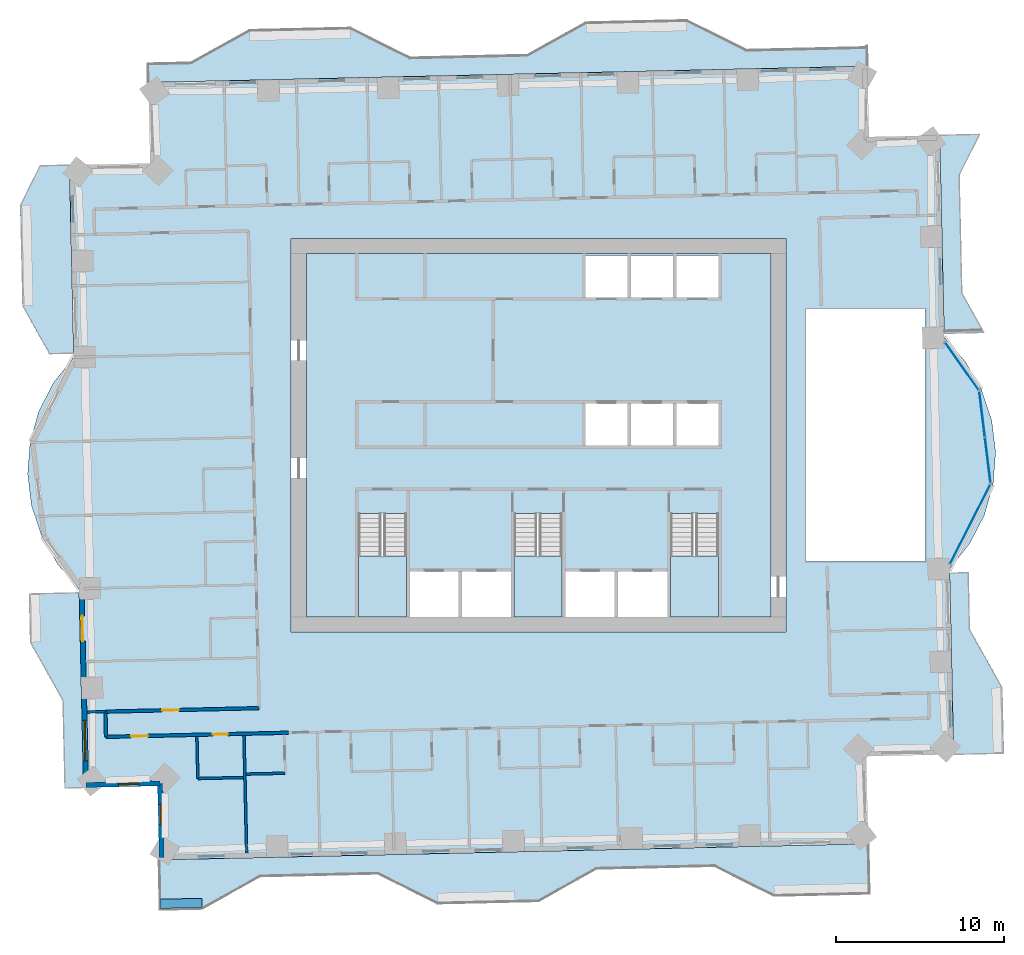
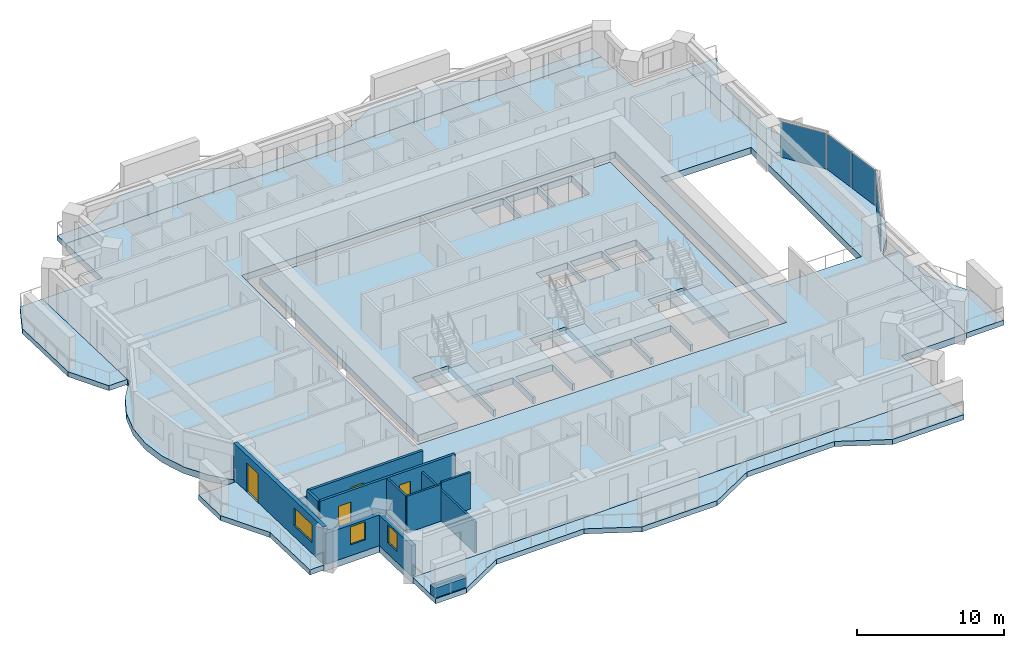
# One storey, part 5 of 16: 12 walls, 11 slabs, 4 doors, 4 plates, 3 windows, 7 openings, 6 elements without a shape of their own.
"""IFC4 building model written with IfcOpenShell, lengths in metres."""

from ifc_helpers import new_model, si_unit, direction, frame, frame_2d, origin, origin_2d, place, context, subcontext, project, spatial, polyline, rectangle, outline, extrude, material, layer, layer_set, type_object, element, fill, aggregate, save


model = new_model("IFC4")

# Units and contexts
model_context = context("Model", 3, precision=1e-05, world=origin(), true_north=direction((0.0, 1.0)))
body_context = subcontext(model_context, "Body", "Model", "MODEL_VIEW")
ifc_project = project(units=[si_unit("LENGTHUNIT", "METRE"), si_unit("AREAUNIT", "SQUARE_METRE"), si_unit("VOLUMEUNIT", "CUBIC_METRE"), si_unit("PLANEANGLEUNIT", "RADIAN"), si_unit("MASSUNIT", "GRAM", prefix="KILO")], contexts=[model_context])

# Site, building, storey
site_placement = place(None, origin())
site = spatial("IfcSite", under=ifc_project, at=site_placement, CompositionType="ELEMENT")
building_placement = place(site_placement, origin())
building = spatial("IfcBuilding", under=site, at=building_placement, Name="Mangrove Gate Tower", CompositionType="ELEMENT")
storey_placement = place(building_placement, frame((0.0, 0.0, 140.89990234375)))
storey = spatial("IfcBuildingStorey", under=building, at=storey_placement, Name="L35", CompositionType="ELEMENT", Elevation=140.89990234375)

# Curtain wall, plate
ifc_material_1 = material(Name="Aluminium and glass curtain wall", Category="aluminium")
curtain_wall_type = type_object("IfcCurtainWallType", Name="Atrium garden-court glazing wall", PredefinedType="NOTDEFINED", material=ifc_material_1)
curtain_wall_1_placement = place(storey_placement, origin())
curtain_wall_1 = element("IfcCurtainWall", 1, at=curtain_wall_1_placement, inside=storey, type_object=curtain_wall_type, Name="Atrium garden-court glazing E1f1", PredefinedType="NOTDEFINED")
ifc_material_2 = material(Name="Laminated low-e glass", Category="glass")
ifc_layer_1 = layer(ifc_material_2, 0.031982421875)
ifc_layer_set_1 = layer_set([ifc_layer_1], Name="Atrium garden-court glazing panel 32")
plate_type = type_object("IfcPlateType", Name="Atrium garden-court glazing panel 32", PredefinedType="CURTAIN_PANEL", material=ifc_layer_set_1)
plate_1_placement = place(storey_placement, frame((25.647216796875, -5.28466796875, 0.0), z_axis=(0.0, 0.0, 1.0), x_axis=(0.452614630938, 0.891706227331, 0.0)))
plate_1 = element("IfcPlate", 2, at=plate_1_placement, type_object=plate_type, Name="CWA panel 1.1", PredefinedType="CURTAIN_PANEL", context=body_context, shape_type="SweptSolid", body=[
    extrude(rectangle(XDim=5.258544921875, YDim=0.031982421875, at=origin_2d()), origin(), (0.0, 0.0, 1.0), 2.97998046875),
])
aggregate(curtain_wall_1, [plate_1])

# Curtain wall, plates
curtain_wall_2_placement = place(storey_placement, origin())
curtain_wall_2 = element("IfcCurtainWall", 3, at=curtain_wall_2_placement, inside=storey, type_object=curtain_wall_type, Name="Atrium garden-court glazing E1f2", PredefinedType="NOTDEFINED")
plate_2_placement = place(storey_placement, frame((26.696533203125, -1.4775390625, 0.0), z_axis=(0.0, 0.0, 1.0), x_axis=(-0.122172285885, 0.992508908051, 0.0)))
plate_2 = element("IfcPlate", 4, at=plate_2_placement, type_object=plate_type, Name="CWA panel 1.1", PredefinedType="CURTAIN_PANEL", context=body_context, shape_type="SweptSolid", body=[
    extrude(rectangle(XDim=2.681640625, YDim=0.031982421875, at=origin_2d()), origin(), (0.0, 0.0, 1.0), 2.97998046875),
])
plate_3_placement = place(storey_placement, frame((26.3603515625, 1.253662109375, 0.0), z_axis=(0.0, 0.0, 1.0), x_axis=(-0.122172285885, 0.992508908051, 0.0)))
plate_3 = element("IfcPlate", 5, at=plate_3_placement, type_object=plate_type, Name="CWA panel 2.1", PredefinedType="CURTAIN_PANEL", context=body_context, shape_type="SweptSolid", body=[
    extrude(rectangle(XDim=2.681640625, YDim=0.031982421875, at=origin_2d()), origin(), (0.0, 0.0, 1.0), 2.97998046875),
])
aggregate(curtain_wall_2, [plate_2, plate_3])

# Curtain wall, plate
curtain_wall_3_placement = place(storey_placement, origin())
curtain_wall_3 = element("IfcCurtainWall", 6, at=curtain_wall_3_placement, inside=storey, type_object=curtain_wall_type, Name="Atrium garden-court glazing E1f3", PredefinedType="NOTDEFINED")
plate_4_placement = place(storey_placement, frame((25.15625, 4.10986328125, 0.0), z_axis=(0.0, 0.0, 1.0), x_axis=(-0.578132252952, 0.815943072828, 0.0)))
plate_4 = element("IfcPlate", 7, at=plate_4_placement, type_object=plate_type, Name="CWA panel 1.1", PredefinedType="CURTAIN_PANEL", context=body_context, shape_type="SweptSolid", body=[
    extrude(rectangle(XDim=3.428955078125, YDim=0.031982421875, at=origin_2d()), origin(), (0.0, 0.0, 1.0), 2.97998046875),
])
aggregate(curtain_wall_3, [plate_4])

# Slabs
ifc_material_3 = material(Name="Porcelain tile")
ifc_layer_2 = layer(ifc_material_3, 0.02001953125, Name="Tile finish")
ifc_material_4 = material(Name="Cement sand screed")
ifc_layer_3 = layer(ifc_material_4, 0.0400390625, Name="Screed laid to falls")
ifc_material_5 = material(Name="Bituminous waterproofing membrane")
ifc_layer_4 = layer(ifc_material_5, 0.00390625, Name="Waterproofing")
ifc_material_6 = material(Name="Concrete C40/50", Category="concrete")
ifc_layer_5 = layer(ifc_material_6, 0.340087890625, Name="Balcony structural slab")
ifc_material_7 = material(Name="Limestone", Category="masonry")
ifc_layer_6 = layer(ifc_material_7, 0.01611328125, Name="Soffit lining")
ifc_layer_set_2 = layer_set([ifc_layer_2, ifc_layer_3, ifc_layer_4, ifc_layer_5, ifc_layer_6], Name="Balcony slab 420 C40/50")
slab_type_1 = type_object("IfcSlabType", Name="Balcony slab 420 C40/50", PredefinedType="FLOOR", material=ifc_layer_set_2)
slab_1_placement = place(storey_placement, frame((0.0, 0.0, -0.419921875)))
element("IfcSlab", 8, at=slab_1_placement, inside=storey, type_object=slab_type_1, Name="BALCONY L35 E0", PredefinedType="FLOOR", context=body_context, shape_type="SweptSolid", body=[
    extrude(outline(polyline([(27.660888671875, -18.89111328125), (27.572021484375, -14.991943359375), (25.64306640625, -11.533935546875), (25.56689453125, -8.160888671875), (24.427001953125, -8.18701171875), (24.50390625, -11.56005859375), (24.5830078125, -15.05908203125), (24.6708984375, -18.9580078125), (27.660888671875, -18.89111328125)])), origin(), (0.0, 0.0, 1.0), 0.419921875),
])
slab_2_placement = place(storey_placement, frame((0.0, 0.0, -0.419921875)))
element("IfcSlab", 9, at=slab_2_placement, inside=storey, type_object=slab_type_1, Name="BALCONY L35 E1", PredefinedType="FLOOR", context=body_context, shape_type="SweptSolid", body=[
    extrude(outline(polyline([(26.498046875, 6.114990234375), (25.18994140625, 8.4599609375), (25.031005859375, 15.458984375), (26.2451171875, 17.886962890625), (23.8369140625, 17.83203125), (23.89111328125, 15.43310546875), (24.050048828125, 8.43505859375), (24.10400390625, 6.06005859375), (26.498046875, 6.114990234375)])), origin(), (0.0, 0.0, 1.0), 0.419921875),
])
slab_3_placement = place(storey_placement, frame((0.0, 0.0, -0.419921875)))
element("IfcSlab", 10, at=slab_3_placement, inside=storey, type_object=slab_type_1, Name="BALCONY L35 N0", PredefinedType="FLOOR", context=body_context, shape_type="SweptSolid", body=[
    extrude(outline(polyline([(19.513916015625, 23.166015625), (19.344970703125, 23.072021484375), (12.345947265625, 22.9130859375), (8.804931640625, 24.68310546875), (2.806884765625, 24.547119140625), (-0.64990234375, 22.617919921875), (-7.64892578125, 22.4599609375), (-11.18994140625, 24.22900390625), (-17.18798828125, 24.093017578125), (-20.64501953125, 22.1640625), (-23.217041015625, 22.10595703125), (-23.19091796875, 20.966064453125), (19.5419921875, 21.93603515625), (19.513916015625, 23.166015625)])), origin(), (0.0, 0.0, 1.0), 0.419921875),
])
slab_4_placement = place(storey_placement, frame((0.0, 0.0, -0.419921875)))
element("IfcSlab", 11, at=slab_4_placement, inside=storey, type_object=slab_type_1, Name="BALCONY L35 W0", PredefinedType="FLOOR", context=body_context, shape_type="SweptSolid", body=[
    extrude(outline(polyline([(-29.654052734375, 16.01806640625), (-30.818115234375, 13.69091796875), (-30.680908203125, 7.693115234375), (-29.096923828125, 4.85302734375), (-27.626953125, 4.886962890625), (-27.69189453125, 7.760009765625), (-27.827880859375, 13.759033203125), (-27.881103515625, 16.05810546875), (-29.654052734375, 16.01806640625)])), origin(), (0.0, 0.0, 1.0), 0.419921875),
])
slab_5_placement = place(storey_placement, frame((0.0, 0.0, -0.419921875)))
element("IfcSlab", 12, at=slab_5_placement, inside=storey, type_object=slab_type_1, Name="BALCONY L35 W1", PredefinedType="FLOOR", context=body_context, shape_type="SweptSolid", body=[
    extrude(outline(polyline([(-30.29296875, -9.427978515625), (-30.22802734375, -12.302001953125), (-28.299072265625, -15.759033203125), (-28.180908203125, -20.9580078125), (-27.041015625, -20.931884765625), (-27.158935546875, -15.73291015625), (-27.238037109375, -12.23388671875), (-27.303955078125, -9.360107421875), (-30.29296875, -9.427978515625)])), origin(), (0.0, 0.0, 1.0), 0.419921875),
])
slab_6_placement = place(storey_placement, frame((0.0, 0.0, -0.419921875)))
element("IfcSlab", 13, at=slab_6_placement, inside=storey, type_object=slab_type_1, Name="BALCONY L35 S0", PredefinedType="FLOOR", context=body_context, shape_type="SweptSolid", body=[
    extrude(outline(polyline([(-22.47509765625, -28.219970703125), (-20.0029296875, -28.1640625), (-16.5458984375, -26.235107421875), (-9.548095703125, -26.076904296875), (-6.007080078125, -27.846923828125), (-1.407958984375, -27.741943359375), (-0.008056640625, -27.7109375), (3.448974609375, -25.781982421875), (10.447021484375, -25.6240234375), (13.988037109375, -27.39306640625), (19.658935546875, -27.263916015625), (19.591064453125, -24.27490234375), (-22.5419921875, -25.23095703125), (-22.47509765625, -28.219970703125)])), origin(), (0.0, 0.0, 1.0), 0.419921875),
])
ifc_material_8 = material(Name="Concrete C40/50", Category="concrete")
ifc_layer_7 = layer(ifc_material_8, 0.550048828125)
ifc_layer_set_3 = layer_set([ifc_layer_7], Name="Core floor slab 550 C40/50")
slab_type_2 = type_object("IfcSlabType", Name="Core floor slab 550 C40/50", PredefinedType="FLOOR", material=ifc_layer_set_3)
slab_7_placement = place(storey_placement, frame((0.0, 0.0, -0.5498046875)))
element("IfcSlab", 14, at=slab_7_placement, inside=storey, type_object=slab_type_2, Name="SLAB-L35-CORE-1", PredefinedType="FLOOR", context=body_context, shape_type="SweptSolid", body=[
    extrude(outline(polyline([(-13.800048828125, -10.800048828125), (-13.800048828125, 10.800048828125), (13.800048828125, 10.800048828125), (13.800048828125, -10.800048828125), (10.699951171875, -10.800048828125), (10.699951171875, -4.653076171875), (7.85009765625, -4.653076171875), (7.85009765625, -10.800048828125), (7.64990234375, -10.800048828125), (7.64990234375, -8.10009765625), (4.72509765625, -8.10009765625), (4.72509765625, -10.800048828125), (4.52490234375, -10.800048828125), (4.52490234375, -8.10009765625), (1.60009765625, -8.10009765625), (1.60009765625, -10.800048828125), (1.39990234375, -10.800048828125), (1.39990234375, -4.653076171875), (-1.449951171875, -4.653076171875), (-1.449951171875, -10.800048828125), (-1.64990234375, -10.800048828125), (-1.64990234375, -8.10009765625), (-4.550048828125, -8.10009765625), (-4.550048828125, -10.800048828125), (-4.75, -10.800048828125), (-4.75, -8.10009765625), (-7.64990234375, -8.10009765625), (-7.64990234375, -10.800048828125), (-7.85009765625, -10.800048828125), (-7.85009765625, -4.653076171875), (-10.699951171875, -4.653076171875), (-10.699951171875, -10.800048828125), (-13.800048828125, -10.800048828125)]), holes=[polyline([(5.300048828125, -0.60009765625), (5.300048828125, 1.89990234375), (2.800048828125, 1.89990234375), (2.800048828125, -0.60009765625), (5.300048828125, -0.60009765625)]), polyline([(5.300048828125, 10.699951171875), (2.800048828125, 10.699951171875), (2.800048828125, 8.199951171875), (5.300048828125, 8.199951171875), (5.300048828125, 10.699951171875)]), polyline([(8.0, -0.60009765625), (8.0, 1.89990234375), (5.5, 1.89990234375), (5.5, -0.60009765625), (8.0, -0.60009765625)]), polyline([(10.699951171875, -0.60009765625), (10.699951171875, 1.89990234375), (8.199951171875, 1.89990234375), (8.199951171875, -0.60009765625), (10.699951171875, -0.60009765625)]), polyline([(8.0, 8.199951171875), (8.0, 10.699951171875), (5.5, 10.699951171875), (5.5, 8.199951171875), (8.0, 8.199951171875)]), polyline([(10.699951171875, 8.199951171875), (10.699951171875, 10.699951171875), (8.199951171875, 10.699951171875), (8.199951171875, 8.199951171875), (10.699951171875, 8.199951171875)])]), origin(), (0.0, 0.0, 1.0), 0.5498046875),
])

# Stair, slab
ifc_material_9 = material(Name="Concrete C40/50", Category="concrete")
stair_type = type_object("IfcStairType", Name="Core stair 1350", PredefinedType="HALF_TURN_STAIR", material=ifc_material_9)
stair_1_placement = place(storey_placement, origin())
stair_1 = element("IfcStair", 15, at=stair_1_placement, inside=storey, type_object=stair_type, Name="L35 Stair 1", PredefinedType="HALF_TURN_STAIR")
ifc_material_10 = material(Name="Concrete C40/50", Category="concrete")
ifc_layer_8 = layer(ifc_material_10, 0.199951171875)
ifc_layer_set_4 = layer_set([ifc_layer_8], Name="Core stair landing 200")
slab_type_3 = type_object("IfcSlabType", Name="Core stair landing 200", PredefinedType="LANDING", material=ifc_layer_set_4)
slab_8_placement = place(storey_placement, frame((0.0, 0.0, 1.60009765625)))
slab_8 = element("IfcSlab", 16, at=slab_8_placement, type_object=slab_type_3, Name="ST1 landing 1", PredefinedType="LANDING", context=body_context, shape_type="SweptSolid", body=[
    extrude(outline(polyline([(-10.699951171875, -7.169921875), (-10.699951171875, -10.800048828125), (-7.85009765625, -10.800048828125), (-7.85009765625, -7.169921875), (-10.699951171875, -7.169921875)])), origin(), (0.0, 0.0, 1.0), 0.199951171875),
])
aggregate(stair_1, [slab_8])

stair_2_placement = place(storey_placement, origin())
stair_2 = element("IfcStair", 17, at=stair_2_placement, inside=storey, type_object=stair_type, Name="L35 Stair 2", PredefinedType="HALF_TURN_STAIR")
slab_9_placement = place(storey_placement, frame((0.0, 0.0, 1.60009765625)))
slab_9 = element("IfcSlab", 18, at=slab_9_placement, type_object=slab_type_3, Name="ST2 landing 1", PredefinedType="LANDING", context=body_context, shape_type="SweptSolid", body=[
    extrude(outline(polyline([(-1.449951171875, -7.169921875), (-1.449951171875, -10.800048828125), (1.39990234375, -10.800048828125), (1.39990234375, -7.169921875), (-1.449951171875, -7.169921875)])), origin(), (0.0, 0.0, 1.0), 0.199951171875),
])
aggregate(stair_2, [slab_9])

stair_3_placement = place(storey_placement, origin())
stair_3 = element("IfcStair", 19, at=stair_3_placement, inside=storey, type_object=stair_type, Name="L35 Stair 3", PredefinedType="HALF_TURN_STAIR")
slab_10_placement = place(storey_placement, frame((0.0, 0.0, 1.60009765625)))
slab_10 = element("IfcSlab", 20, at=slab_10_placement, type_object=slab_type_3, Name="ST3 landing 1", PredefinedType="LANDING", context=body_context, shape_type="SweptSolid", body=[
    extrude(outline(polyline([(7.85009765625, -7.169921875), (7.85009765625, -10.800048828125), (10.699951171875, -10.800048828125), (10.699951171875, -7.169921875), (7.85009765625, -7.169921875)])), origin(), (0.0, 0.0, 1.0), 0.199951171875),
])
aggregate(stair_3, [slab_10])

# Slab
ifc_material_11 = material(Name="Concrete C40/50", Category="concrete")
ifc_layer_9 = layer(ifc_material_11, 0.550048828125)
ifc_layer_set_5 = layer_set([ifc_layer_9], Name="Floor slab 550 C40/50")
slab_type_4 = type_object("IfcSlabType", Name="Floor slab 550 C40/50", PredefinedType="FLOOR", material=ifc_layer_set_5)
slab_11_placement = place(storey_placement, frame((0.0, 0.0, -0.5498046875)))
element("IfcSlab", 21, at=slab_11_placement, inside=storey, type_object=slab_type_4, Name="Floor slab L35", PredefinedType="FLOOR", context=body_context, shape_type="SweptSolid", body=[
    extrude(outline(polyline([(-22.54248046875, -25.231201171875), (19.5908203125, -24.275146484375), (19.472900390625, -19.076416015625), (24.67138671875, -18.95849609375), (24.42138671875, -7.9365234375), (25.617919921875, -6.4443359375), (26.494873046875, -4.744384765625), (27.017333984375, -2.904296875), (27.16455078125, -0.997314453125), (26.930908203125, 0.901123046875), (26.325439453125, 2.715576171875), (25.372314453125, 4.3740234375), (24.109375, 5.810546875), (23.836669921875, 17.83203125), (19.6376953125, 17.73681640625), (19.542236328125, 21.935791015625), (-23.190673828125, 20.966064453125), (-23.081787109375, 16.167236328125), (-27.880615234375, 16.058349609375), (-27.621337890625, 4.636474609375), (-28.81787109375, 3.144287109375), (-29.69482421875, 1.4443359375), (-30.21728515625, -0.395751953125), (-30.364501953125, -2.302734375), (-30.130859375, -4.201171875), (-29.525390625, -6.015625), (-28.572265625, -7.674072265625), (-27.309326171875, -9.110595703125), (-27.041015625, -20.93212890625), (-22.642333984375, -20.832275390625), (-22.54248046875, -25.231201171875)]), holes=[polyline([(15.89990234375, 7.5), (22.9951171875, 7.5), (22.9951171875, -7.5), (15.89990234375, -7.5), (15.89990234375, 7.5)]), polyline([(-14.699951171875, -11.699951171875), (-14.699951171875, 11.699951171875), (14.699951171875, 11.699951171875), (14.699951171875, -11.699951171875), (-14.699951171875, -11.699951171875)])]), origin(), (0.0, 0.0, 1.0), 0.5498046875),
])

# Wall
ifc_material_12 = material(Name="Gypsum board on steel stud, EI 60", Category="steel")
ifc_layer_10 = layer(ifc_material_12, 0.199951171875)
ifc_layer_set_6 = layer_set([ifc_layer_10], Name="Corridor wall EI 60")
wall_type_1 = type_object("IfcWallType", Name="Corridor wall EI 60", PredefinedType="PARTITIONING", material=ifc_layer_set_6)
wall_1_placement = place(storey_placement, frame((-25.70703125, -17.925048828125, 0.0), z_axis=(0.0, 0.0, 1.0), x_axis=(-0.022617910375, 0.999744182344, 0.0)))
element("IfcWall", 22, at=wall_1_placement, inside=storey, type_object=wall_type_1, Name="WALL-L35-024", PredefinedType="PARTITIONING", context=body_context, shape_type="SweptSolid", body=[
    extrude(rectangle(XDim=1.50048828125, YDim=0.199951171875, at=frame_2d((0.750244140625, 0.0))), origin(), (0.0, 0.0, 1.0), 3.050048828125),
])

# Wall, openings, doors
wall_2_placement = place(storey_placement, frame((-25.708984375, -17.9208984375, 0.0), z_axis=(0.0, 0.0, 1.0), x_axis=(0.999742764922, 0.022680475901, 0.0)))
wall_2 = element("IfcWall", 23, at=wall_2_placement, inside=storey, type_object=wall_type_1, Name="WALL-L35-026", PredefinedType="PARTITIONING", context=body_context, shape_type="SweptSolid", body=[
    extrude(rectangle(XDim=10.839599609375, YDim=0.199951171875, at=frame_2d((5.419921875, 0.0))), origin(), (0.0, 0.0, 1.0), 3.050048828125),
])
opening_1_placement = place(wall_2_placement, frame((1.5, 0.0, 0.0)))
opening_1 = element("IfcOpeningElement", 24, at=opening_1_placement, cuts=wall_2, Name="Opening AD", PredefinedType="OPENING", context=body_context, shape_type="SweptSolid", body=[
    extrude(rectangle(XDim=1.0, YDim=2.10009765625, at=frame_2d((0.5, 1.050048828125))), frame((0.0, 0.10986328125, 0.0), z_axis=(0.0, -1.0, 0.0), x_axis=(1.0, 0.0, 0.0)), (0.0, 0.0, 1.0), 0.219970703125),
])
opening_2_placement = place(wall_2_placement, frame((6.35009765625, 0.0, 0.0)))
opening_2 = element("IfcOpeningElement", 25, at=opening_2_placement, cuts=wall_2, Name="Opening SD", PredefinedType="OPENING", context=body_context, shape_type="SweptSolid", body=[
    extrude(rectangle(XDim=0.89990234375, YDim=2.10009765625, at=frame_2d((0.449951171875, 1.050048828125))), frame((0.0, 0.10986328125, 0.0), z_axis=(0.0, -1.0, 0.0), x_axis=(1.0, 0.0, 0.0)), (0.0, 0.0, 1.0), 0.219970703125),
])
ifc_material_13 = material(Name="Timber door leaf", Category="wood")
door_type_1 = type_object("IfcDoorType", Name="Amenity door 1000", OperationType="SINGLE_SWING_LEFT", PredefinedType="DOOR", material=ifc_material_13)
door_1_placement = place(opening_1_placement, origin())
door_1 = element("IfcDoor", 26, at=door_1_placement, inside=storey, type_object=door_type_1, Name="DOOR-L35-LNG-c1a", OperationType="SINGLE_SWING_LEFT", OverallHeight=2.10009765625, OverallWidth=1.0, PredefinedType="DOOR", context=body_context, shape_type="SweptSolid", body=[
    extrude(rectangle(XDim=1.0, YDim=2.10009765625, at=frame_2d((0.5, 1.050048828125))), frame((0.0, 0.02490234375, 0.0), z_axis=(0.0, -1.0, 0.0), x_axis=(1.0, 0.0, 0.0)), (0.0, 0.0, 1.0), 0.050048828125),
])
fill(opening_1, door_1)
ifc_material_14 = material(Name="Timber door leaf", Category="wood")
door_type_2 = type_object("IfcDoorType", Name="Service room door 900", OperationType="SINGLE_SWING_LEFT", PredefinedType="DOOR", material=ifc_material_14)
door_2_placement = place(opening_2_placement, origin())
door_2 = element("IfcDoor", 27, at=door_2_placement, inside=storey, type_object=door_type_2, Name="DOOR-L35-LDY-c1a", OperationType="SINGLE_SWING_LEFT", OverallHeight=2.10009765625, OverallWidth=0.89990234375, PredefinedType="DOOR", context=body_context, shape_type="SweptSolid", body=[
    extrude(rectangle(XDim=0.89990234375, YDim=2.10009765625, at=frame_2d((0.449951171875, 1.050048828125))), frame((0.0, 0.02490234375, 0.0), z_axis=(0.0, -1.0, 0.0), x_axis=(1.0, 0.0, 0.0)), (0.0, 0.0, 1.0), 0.050048828125),
])
fill(opening_2, door_2)

# Wall, opening, door
wall_3_placement = place(storey_placement, frame((-25.742919921875, -16.422119140625, 0.0), z_axis=(0.0, 0.0, 1.0), x_axis=(0.999741076645, 0.022754772455, 0.0)))
wall_3 = element("IfcWall", 28, at=wall_3_placement, inside=storey, type_object=wall_type_1, Name="WALL-L35-032", PredefinedType="PARTITIONING", context=body_context, shape_type="SweptSolid", body=[
    extrude(rectangle(XDim=9.141357421875, YDim=0.199951171875, at=frame_2d((4.57080078125, 0.0))), origin(), (0.0, 0.0, 1.0), 3.050048828125),
])
opening_3_placement = place(wall_3_placement, frame((3.37109375, 0.0, 0.0)))
opening_3 = element("IfcOpeningElement", 29, at=opening_3_placement, cuts=wall_3, Name="Opening AD", PredefinedType="OPENING", context=body_context, shape_type="SweptSolid", body=[
    extrude(rectangle(XDim=1.0, YDim=2.10009765625, at=frame_2d((0.5, 1.050048828125))), frame((0.0, 0.10986328125, 0.0), z_axis=(0.0, -1.0, 0.0), x_axis=(1.0, 0.0, 0.0)), (0.0, 0.0, 1.0), 0.219970703125),
])
door_3_placement = place(opening_3_placement, origin())
door_3 = element("IfcDoor", 30, at=door_3_placement, inside=storey, type_object=door_type_1, Name="DOOR-L35-STU-c5d", OperationType="SINGLE_SWING_RIGHT", OverallHeight=2.10009765625, OverallWidth=1.0, PredefinedType="DOOR", context=body_context, shape_type="SweptSolid", body=[
    extrude(rectangle(XDim=1.0, YDim=2.10009765625, at=frame_2d((0.5, 1.050048828125))), frame((0.0, 0.02490234375, 0.0), z_axis=(0.0, -1.0, 0.0), x_axis=(1.0, 0.0, 0.0)), (0.0, 0.0, 1.0), 0.050048828125),
])
fill(opening_3, door_3)

# Wall, openings, door, window
ifc_layer_11 = layer(ifc_material_7, 0.0400390625, Name="Limestone cladding")
ifc_material_15 = material(Name="Ventilated air gap")
ifc_layer_12 = layer(ifc_material_15, 0.0400390625, Name="Ventilated cavity")
ifc_material_16 = material(Name="Mineral wool insulation")
ifc_layer_13 = layer(ifc_material_16, 0.06005859375, Name="Insulation")
ifc_material_17 = material(Name="Breather membrane")
ifc_layer_14 = layer(ifc_material_17, 0.001953125, Name="Breather membrane")
ifc_material_18 = material(Name="Concrete C20/25 blockwork", Category="masonry")
ifc_layer_15 = layer(ifc_material_18, 0.14990234375, Name="Blockwork backing wall")
ifc_material_19 = material(Name="Gypsum plaster")
ifc_layer_16 = layer(ifc_material_19, 0.008056640625, Name="Internal plaster")
ifc_layer_set_7 = layer_set([ifc_layer_11, ifc_layer_12, ifc_layer_13, ifc_layer_14, ifc_layer_15, ifc_layer_16], Name="External wall 300 limestone cladding")
wall_type_2 = type_object("IfcWallType", Name="External wall 300 limestone cladding", PredefinedType="SOLIDWALL", material=ifc_layer_set_7)
wall_4_placement = place(storey_placement, frame((-27.160888671875, -9.052001953125, 0.0), z_axis=(0.0, 0.0, 1.0), x_axis=(0.022665616813, -0.999743101909, 0.0)))
wall_4 = element("IfcWall", 31, at=wall_4_placement, inside=storey, type_object=wall_type_2, Name="WALL-L35-W10", PredefinedType="SOLIDWALL", context=body_context, shape_type="SweptSolid", body=[
    extrude(rectangle(XDim=11.72998046875, YDim=0.300048828125, at=frame_2d((5.864990234375, 0.0))), origin(), (0.0, 0.0, 1.0), 3.050048828125),
])
opening_4_placement = place(wall_4_placement, frame((1.678955078125, 0.0, 0.0)))
opening_4 = element("IfcOpeningElement", 32, at=opening_4_placement, cuts=wall_4, Name="Opening BD1", PredefinedType="OPENING", context=body_context, shape_type="SweptSolid", body=[
    extrude(rectangle(XDim=1.5, YDim=2.39990234375, at=frame_2d((0.75, 1.199951171875))), frame((0.0, 0.159912109375, 0.0), z_axis=(0.0, -1.0, 0.0), x_axis=(1.0, 0.0, 0.0)), (0.0, 0.0, 1.0), 0.320068359375),
])
opening_5_placement = place(wall_4_placement, frame((7.89208984375, 0.0, 0.89990234375)))
opening_5 = element("IfcOpeningElement", 33, at=opening_5_placement, cuts=wall_4, Name="Opening W2", PredefinedType="OPENING", context=body_context, shape_type="SweptSolid", body=[
    extrude(rectangle(XDim=2.39990234375, YDim=1.5, at=frame_2d((1.199951171875, 0.75))), frame((0.0, 0.159912109375, 0.0), z_axis=(0.0, -1.0, 0.0), x_axis=(1.0, 0.0, 0.0)), (0.0, 0.0, 1.0), 0.320068359375),
])
ifc_material_20 = material(Name="Aluminium frame with laminated clear glass", Category="aluminium")
door_type_3 = type_object("IfcDoorType", Name="Balcony sliding door 1500x2400", OperationType="SLIDING_TO_LEFT", PredefinedType="DOOR", material=ifc_material_20)
door_4_placement = place(opening_4_placement, origin())
door_4 = element("IfcDoor", 34, at=door_4_placement, inside=storey, type_object=door_type_3, Name="DOOR-L35-W10-1", OperationType="SLIDING_TO_LEFT", OverallHeight=2.39990234375, OverallWidth=1.5, PredefinedType="DOOR", context=body_context, shape_type="SweptSolid", body=[
    extrude(rectangle(XDim=1.5, YDim=2.39990234375, at=frame_2d((0.75, 1.199951171875))), frame((0.0, 0.02490234375, 0.0), z_axis=(0.0, -1.0, 0.0), x_axis=(1.0, 0.0, 0.0)), (0.0, 0.0, 1.0), 0.050048828125),
])
fill(opening_4, door_4)
ifc_material_21 = material(Name="Aluminium frame with double-glazed low-e glass", Category="aluminium")
window_type_1 = type_object("IfcWindowType", Name="Corner room window 2400x1500", PartitioningType="DOUBLE_PANEL_VERTICAL", PredefinedType="WINDOW", material=ifc_material_21)
window_1_placement = place(opening_5_placement, origin())
window_1 = element("IfcWindow", 35, at=window_1_placement, inside=storey, type_object=window_type_1, Name="WIN-L35-W10-2", OverallHeight=1.5, OverallWidth=2.39990234375, PartitioningType="DOUBLE_PANEL_VERTICAL", PredefinedType="WINDOW", context=body_context, shape_type="SweptSolid", body=[
    extrude(rectangle(XDim=2.39990234375, YDim=1.5, at=frame_2d((1.199951171875, 0.75))), frame((0.0, 0.030029296875, 0.0), z_axis=(0.0, -1.0, 0.0), x_axis=(1.0, 0.0, 0.0)), (0.0, 0.0, 1.0), 0.06005859375),
])
fill(opening_5, window_1)

# Wall, opening, window
wall_5_placement = place(storey_placement, frame((-26.89501953125, -20.779052734375, 0.0), z_axis=(0.0, 0.0, 1.0), x_axis=(0.999741204967, 0.022749133868, 0.0)))
wall_5 = element("IfcWall", 36, at=wall_5_placement, inside=storey, type_object=wall_type_2, Name="WALL-L35-S11", PredefinedType="SOLIDWALL", context=body_context, shape_type="SweptSolid", body=[
    extrude(rectangle(XDim=4.400146484375, YDim=0.300048828125, at=frame_2d((2.2001953125, 0.0))), origin(), (0.0, 0.0, 1.0), 2.550048828125),
])
opening_6_placement = place(wall_5_placement, frame((1.93603515625, 0.0, 0.89990234375)))
opening_6 = element("IfcOpeningElement", 37, at=opening_6_placement, cuts=wall_5, Name="Opening W1", PredefinedType="OPENING", context=body_context, shape_type="SweptSolid", body=[
    extrude(rectangle(XDim=1.199951171875, YDim=1.5, at=frame_2d((0.60009765625, 0.75))), frame((0.0, 0.159912109375, 0.0), z_axis=(0.0, -1.0, 0.0), x_axis=(1.0, 0.0, 0.0)), (0.0, 0.0, 1.0), 0.320068359375),
])
ifc_material_22 = material(Name="Aluminium frame with double-glazed low-e glass", Category="aluminium")
window_type_2 = type_object("IfcWindowType", Name="Side lite 1200x1500", PartitioningType="SINGLE_PANEL", PredefinedType="WINDOW", material=ifc_material_22)
window_2_placement = place(opening_6_placement, origin())
window_2 = element("IfcWindow", 38, at=window_2_placement, inside=storey, type_object=window_type_2, Name="WIN-L35-S11-1", OverallHeight=1.5, OverallWidth=1.199951171875, PartitioningType="SINGLE_PANEL", PredefinedType="WINDOW", context=body_context, shape_type="SweptSolid", body=[
    extrude(rectangle(XDim=1.199951171875, YDim=1.5, at=frame_2d((0.60009765625, 0.75))), frame((0.0, 0.030029296875, 0.0), z_axis=(0.0, -1.0, 0.0), x_axis=(1.0, 0.0, 0.0)), (0.0, 0.0, 1.0), 0.06005859375),
])
fill(opening_6, window_2)

wall_6_placement = place(storey_placement, frame((-22.49609375, -20.678955078125, 0.0), z_axis=(0.0, 0.0, 1.0), x_axis=(0.022749133868, -0.999741204967, 0.0)))
wall_6 = element("IfcWall", 39, at=wall_6_placement, inside=storey, type_object=wall_type_2, Name="WALL-L35-W12", PredefinedType="SOLIDWALL", context=body_context, shape_type="SweptSolid", body=[
    extrude(rectangle(XDim=4.400146484375, YDim=0.300048828125, at=frame_2d((2.2001953125, 0.0))), origin(), (0.0, 0.0, 1.0), 2.550048828125),
])
opening_7_placement = place(wall_6_placement, frame((1.256103515625, 0.0, 0.89990234375)))
opening_7 = element("IfcOpeningElement", 40, at=opening_7_placement, cuts=wall_6, Name="Opening W1", PredefinedType="OPENING", context=body_context, shape_type="SweptSolid", body=[
    extrude(rectangle(XDim=1.199951171875, YDim=1.5, at=frame_2d((0.60009765625, 0.75))), frame((0.0, 0.159912109375, 0.0), z_axis=(0.0, -1.0, 0.0), x_axis=(1.0, 0.0, 0.0)), (0.0, 0.0, 1.0), 0.320068359375),
])
window_3_placement = place(opening_7_placement, origin())
window_3 = element("IfcWindow", 41, at=window_3_placement, inside=storey, type_object=window_type_2, Name="WIN-L35-W12-1", OverallHeight=1.5, OverallWidth=1.199951171875, PartitioningType="SINGLE_PANEL", PredefinedType="WINDOW", context=body_context, shape_type="SweptSolid", body=[
    extrude(rectangle(XDim=1.199951171875, YDim=1.5, at=frame_2d((0.60009765625, 0.75))), frame((0.0, 0.030029296875, 0.0), z_axis=(0.0, -1.0, 0.0), x_axis=(1.0, 0.0, 0.0)), (0.0, 0.0, 1.0), 0.06005859375),
])
fill(opening_7, window_3)

# Walls
ifc_material_23 = material(Name="Gypsum board on steel stud, EI 60", Category="steel")
ifc_layer_17 = layer(ifc_material_23, 0.14990234375)
ifc_layer_set_8 = layer_set([ifc_layer_17], Name="Party wall 150 EI 60")
wall_type_3 = type_object("IfcWallType", Name="Party wall 150 EI 60", PredefinedType="PARTITIONING", material=ifc_layer_set_8)
wall_7_placement = place(storey_placement, frame((-17.34912109375, -24.81298828125, 0.0), z_axis=(0.0, 0.0, 1.0), x_axis=(-0.022644288452, 0.999743585226, 0.0)))
element("IfcWall", 42, at=wall_7_placement, inside=storey, type_object=wall_type_3, Name="WALL-L35-001", PredefinedType="PARTITIONING", context=body_context, shape_type="SweptSolid", body=[
    extrude(rectangle(XDim=6.9755859375, YDim=0.14990234375, at=frame_2d((3.48779296875, 0.0))), origin(), (0.0, 0.0, 1.0), 2.550048828125),
])
wall_8_placement = place(storey_placement, frame((-20.2490234375, -20.402099609375, 0.0), z_axis=(0.0, 0.0, 1.0), x_axis=(-0.022756903044, 0.999741028149, 0.0)))
element("IfcWall", 43, at=wall_8_placement, inside=storey, type_object=wall_type_3, Name="WALL-L35-011", PredefinedType="PARTITIONING", context=body_context, shape_type="SweptSolid", body=[
    extrude(rectangle(XDim=2.499755859375, YDim=0.14990234375, at=frame_2d((1.25, 0.0))), origin(), (0.0, 0.0, 1.0), 3.050048828125),
])
wall_9_placement = place(storey_placement, frame((-20.2509765625, -20.39794921875, 0.0), z_axis=(0.0, 0.0, 1.0), x_axis=(0.999740955847, 0.022760079124, 0.0)))
element("IfcWall", 44, at=wall_9_placement, inside=storey, type_object=wall_type_3, Name="WALL-L35-012", PredefinedType="PARTITIONING", context=body_context, shape_type="SweptSolid", body=[
    extrude(rectangle(XDim=2.724609375, YDim=0.14990234375, at=frame_2d((1.3623046875, 0.0))), origin(), (0.0, 0.0, 1.0), 3.050048828125),
])
wall_10_placement = place(storey_placement, frame((-17.382080078125, -20.133056640625, 0.0), z_axis=(0.0, 0.0, 1.0), x_axis=(0.99974053329, 0.022778632478, 0.0)))
element("IfcWall", 45, at=wall_10_placement, inside=storey, type_object=wall_type_3, Name="WALL-L35-020", PredefinedType="PARTITIONING", context=body_context, shape_type="SweptSolid", body=[
    extrude(rectangle(XDim=2.32568359375, YDim=0.14990234375, at=frame_2d((1.162841796875, 0.0))), origin(), (0.0, 0.0, 1.0), 3.050048828125),
])
wall_11_placement = place(storey_placement, frame((-26.843017578125, -16.447021484375, 0.0), z_axis=(0.0, 0.0, 1.0), x_axis=(0.999720170098, 0.023655475055, 0.0)))
element("IfcWall", 46, at=wall_11_placement, inside=storey, type_object=wall_type_3, Name="WALL-L35-031", PredefinedType="PARTITIONING", context=body_context, shape_type="SweptSolid", body=[
    extrude(rectangle(XDim=1.104248046875, YDim=0.14990234375, at=frame_2d((0.55224609375, 0.0))), origin(), (0.0, 0.0, 1.0), 2.550048828125),
])
ifc_material_24 = material(Name="Concrete C32/40", Category="concrete")
ifc_layer_18 = layer(ifc_material_24, 0.199951171875, Name="Planter trough wall")
ifc_layer_19 = layer(ifc_material_5, 0.0048828125, Name="Waterproofing")
ifc_material_25 = material(Name="Drainage board and gravel")
ifc_layer_20 = layer(ifc_material_25, 0.044921875, Name="Drainage layer")
ifc_material_26 = material(Name="Planting soil")
ifc_layer_21 = layer(ifc_material_26, 0.300048828125, Name="Growing medium")
ifc_layer_set_9 = layer_set([ifc_layer_18, ifc_layer_19, ifc_layer_20, ifc_layer_21], Name="Planter wall 550 C32/40")
wall_type_4 = type_object("IfcWallType", Name="Planter wall 550 C32/40", PredefinedType="USERDEFINED", material=ifc_layer_set_9)
wall_12_placement = place(storey_placement, frame((-22.48291015625, -27.844970703125, 0.0), z_axis=(0.0, 0.0, 1.0), x_axis=(0.99974432732, 0.022611501329, 0.0)))
element("IfcWall", 47, at=wall_12_placement, inside=storey, type_object=wall_type_4, Name="PLANTER L35 S0.1", ObjectType="PLANTER", PredefinedType="USERDEFINED", context=body_context, shape_type="SweptSolid", body=[
    extrude(rectangle(XDim=2.47265625, YDim=0.550048828125, at=frame_2d((1.236328125, 0.0))), origin(), (0.0, 0.0, 1.0), 0.800048828125),
])

save(model, "model.ifc")
